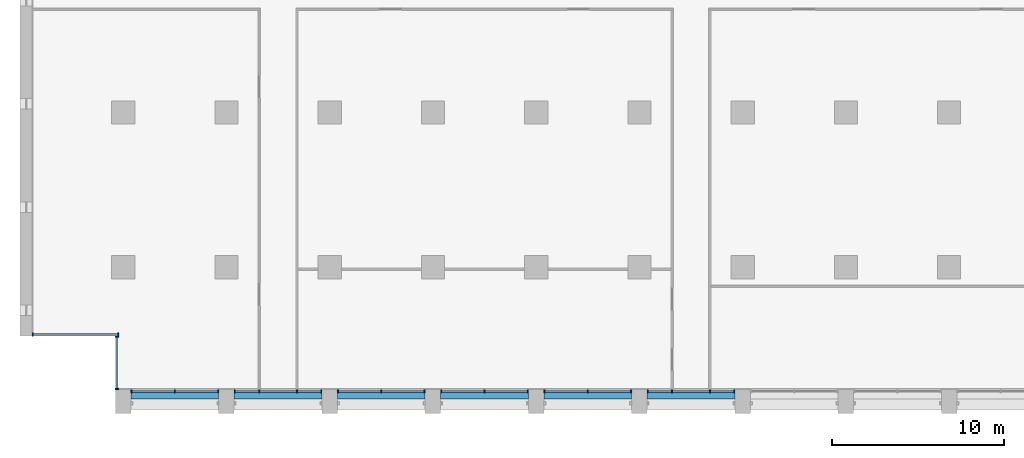
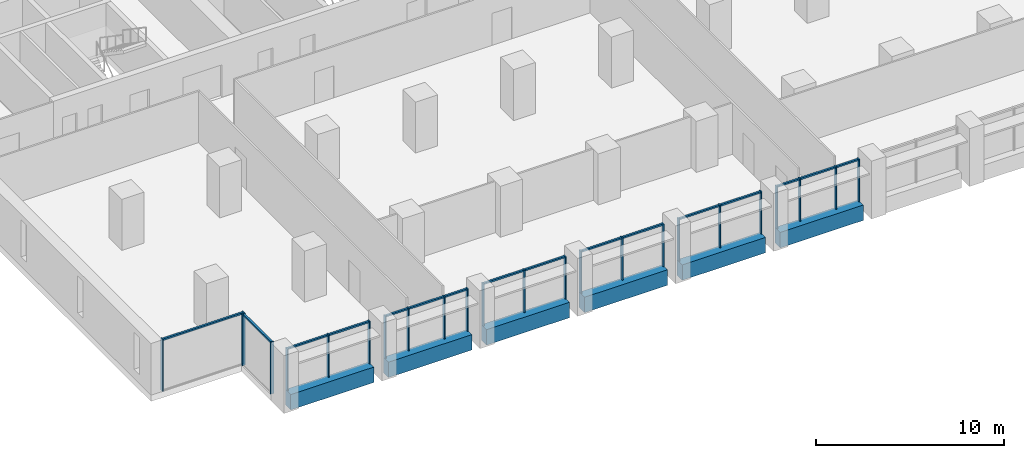
# One storey, part 2 of 15: 40 members, 6 beams, 8 elements without a shape of their own.
"""IFC4 building model written with IfcOpenShell, lengths in metres."""

from ifc_helpers import new_model, si_unit, direction, frame, origin, origin_2d, place, context, subcontext, project, spatial, rectangle, extrude, material, material_profile, profile_set, type_object, element, aggregate, save


model = new_model("IFC4")

# Units and contexts
model_context = context("Model", 3, precision=1e-05, world=origin(), true_north=direction((0.0, 1.0)))
body_context = subcontext(model_context, "Body", "Model", "MODEL_VIEW")
ifc_project = project(units=[si_unit("LENGTHUNIT", "METRE"), si_unit("AREAUNIT", "SQUARE_METRE"), si_unit("VOLUMEUNIT", "CUBIC_METRE"), si_unit("PLANEANGLEUNIT", "RADIAN"), si_unit("MASSUNIT", "GRAM", prefix="KILO")], contexts=[model_context])

# Site, building, storey
site_placement = place(None, origin())
site = spatial("IfcSite", under=ifc_project, at=site_placement, CompositionType="ELEMENT")
building_placement = place(site_placement, origin())
building = spatial("IfcBuilding", under=site, at=building_placement, Name="Calvaro Tower", CompositionType="ELEMENT")
storey_placement = place(building_placement, frame((0.0, 0.0, 117.5)))
storey = spatial("IfcBuildingStorey", under=building, at=storey_placement, Name="L29", CompositionType="ELEMENT", Elevation=117.5)

# Curtain wall, members
ifc_material_1 = material(Name="Anodised aluminium", Category="aluminium")
curtain_wall_type = type_object("IfcCurtainWallType", Name="Office curtain wall, middle zone", PredefinedType="NOTDEFINED", material=ifc_material_1)
curtain_wall_1_placement = place(storey_placement, origin())
curtain_wall_1 = element("IfcCurtainWall", 1, at=curtain_wall_1_placement, inside=storey, type_object=curtain_wall_type, Name="CW2 south curtain wall", PredefinedType="NOTDEFINED")
ifc_material_2 = material(Name="Anodised aluminium", Category="aluminium")
ifc_material_profile_1 = material_profile(ifc_material_2, rectangle(XDim=0.199951171875, YDim=0.070068359375, at=origin_2d()), Name="Mullion S2 70 x 200")
ifc_profile_set_1 = profile_set([ifc_material_profile_1], Name="Anodised aluminium")
member_type_1 = type_object("IfcMemberType", Name="Mullion S2 70 x 200", PredefinedType="MULLION", material=ifc_profile_set_1)
member_1_placement = place(storey_placement, frame((6.485107421875, 2.800048828125, 0.0), z_axis=(0.0, 0.0, 1.0), x_axis=(0.0, 1.0, 0.0)))
member_1 = element("IfcMember", 2, at=member_1_placement, type_object=member_type_1, Name="CW2 mullion 1", PredefinedType="MULLION", context=body_context, shape_type="SweptSolid", body=[
    extrude(rectangle(XDim=0.199951171875, YDim=0.070068359375, at=origin_2d()), origin(), (0.0, 0.0, 1.0), 2.75),
])
member_2_placement = place(storey_placement, frame((9.0, 2.800048828125, 0.0), z_axis=(0.0, 0.0, 1.0), x_axis=(0.0, 1.0, 0.0)))
member_2 = element("IfcMember", 3, at=member_2_placement, type_object=member_type_1, Name="CW2 mullion 2", PredefinedType="MULLION", context=body_context, shape_type="SweptSolid", body=[
    extrude(rectangle(XDim=0.199951171875, YDim=0.070068359375, at=origin_2d()), origin(), (0.0, 0.0, 1.0), 2.75),
])
member_3_placement = place(storey_placement, frame((11.514892578125, 2.800048828125, 0.0), z_axis=(0.0, 0.0, 1.0), x_axis=(0.0, 1.0, 0.0)))
member_3 = element("IfcMember", 4, at=member_3_placement, type_object=member_type_1, Name="CW2 mullion 3", PredefinedType="MULLION", context=body_context, shape_type="SweptSolid", body=[
    extrude(rectangle(XDim=0.199951171875, YDim=0.070068359375, at=origin_2d()), origin(), (0.0, 0.0, 1.0), 2.75),
])

curtain_wall_2_placement = place(storey_placement, origin())
curtain_wall_2 = element("IfcCurtainWall", 5, at=curtain_wall_2_placement, inside=storey, type_object=curtain_wall_type, Name="CW2 south curtain wall", PredefinedType="NOTDEFINED")
member_4_placement = place(storey_placement, frame((12.485107421875, 2.800048828125, 0.0), z_axis=(0.0, 0.0, 1.0), x_axis=(0.0, 1.0, 0.0)))
member_4 = element("IfcMember", 6, at=member_4_placement, type_object=member_type_1, Name="CW2 mullion 1", PredefinedType="MULLION", context=body_context, shape_type="SweptSolid", body=[
    extrude(rectangle(XDim=0.199951171875, YDim=0.070068359375, at=origin_2d()), origin(), (0.0, 0.0, 1.0), 2.75),
])
member_5_placement = place(storey_placement, frame((13.89990234375, 2.800048828125, 0.0), z_axis=(0.0, 0.0, 1.0), x_axis=(0.0, 1.0, 0.0)))
member_5 = element("IfcMember", 7, at=member_5_placement, type_object=member_type_1, Name="CW2 mullion 2", PredefinedType="MULLION", context=body_context, shape_type="SweptSolid", body=[
    extrude(rectangle(XDim=0.199951171875, YDim=0.070068359375, at=origin_2d()), origin(), (0.0, 0.0, 1.0), 2.75),
])
member_6_placement = place(storey_placement, frame((16.10009765625, 2.800048828125, 0.0), z_axis=(0.0, 0.0, 1.0), x_axis=(0.0, 1.0, 0.0)))
member_6 = element("IfcMember", 8, at=member_6_placement, type_object=member_type_1, Name="CW2 mullion 3", PredefinedType="MULLION", context=body_context, shape_type="SweptSolid", body=[
    extrude(rectangle(XDim=0.199951171875, YDim=0.070068359375, at=origin_2d()), origin(), (0.0, 0.0, 1.0), 2.75),
])
member_7_placement = place(storey_placement, frame((17.514892578125, 2.800048828125, 0.0), z_axis=(0.0, 0.0, 1.0), x_axis=(0.0, 1.0, 0.0)))
member_7 = element("IfcMember", 9, at=member_7_placement, type_object=member_type_1, Name="CW2 mullion 4", PredefinedType="MULLION", context=body_context, shape_type="SweptSolid", body=[
    extrude(rectangle(XDim=0.199951171875, YDim=0.070068359375, at=origin_2d()), origin(), (0.0, 0.0, 1.0), 2.75),
])

curtain_wall_3_placement = place(storey_placement, origin())
curtain_wall_3 = element("IfcCurtainWall", 10, at=curtain_wall_3_placement, inside=storey, type_object=curtain_wall_type, Name="CW2 south curtain wall", PredefinedType="NOTDEFINED")
member_8_placement = place(storey_placement, frame((18.485107421875, 2.800048828125, 0.0), z_axis=(0.0, 0.0, 1.0), x_axis=(0.0, 1.0, 0.0)))
member_8 = element("IfcMember", 11, at=member_8_placement, type_object=member_type_1, Name="CW2 mullion 1", PredefinedType="MULLION", context=body_context, shape_type="SweptSolid", body=[
    extrude(rectangle(XDim=0.199951171875, YDim=0.070068359375, at=origin_2d()), origin(), (0.0, 0.0, 1.0), 2.75),
])
member_9_placement = place(storey_placement, frame((21.0, 2.800048828125, 0.0), z_axis=(0.0, 0.0, 1.0), x_axis=(0.0, 1.0, 0.0)))
member_9 = element("IfcMember", 12, at=member_9_placement, type_object=member_type_1, Name="CW2 mullion 2", PredefinedType="MULLION", context=body_context, shape_type="SweptSolid", body=[
    extrude(rectangle(XDim=0.199951171875, YDim=0.070068359375, at=origin_2d()), origin(), (0.0, 0.0, 1.0), 2.75),
])
member_10_placement = place(storey_placement, frame((23.514892578125, 2.800048828125, 0.0), z_axis=(0.0, 0.0, 1.0), x_axis=(0.0, 1.0, 0.0)))
member_10 = element("IfcMember", 13, at=member_10_placement, type_object=member_type_1, Name="CW2 mullion 3", PredefinedType="MULLION", context=body_context, shape_type="SweptSolid", body=[
    extrude(rectangle(XDim=0.199951171875, YDim=0.070068359375, at=origin_2d()), origin(), (0.0, 0.0, 1.0), 2.75),
])

curtain_wall_4_placement = place(storey_placement, origin())
curtain_wall_4 = element("IfcCurtainWall", 14, at=curtain_wall_4_placement, inside=storey, type_object=curtain_wall_type, Name="CW2 south curtain wall", PredefinedType="NOTDEFINED")
member_11_placement = place(storey_placement, frame((24.485107421875, 2.800048828125, 0.0), z_axis=(0.0, 0.0, 1.0), x_axis=(0.0, 1.0, 0.0)))
member_11 = element("IfcMember", 15, at=member_11_placement, type_object=member_type_1, Name="CW2 mullion 1", PredefinedType="MULLION", context=body_context, shape_type="SweptSolid", body=[
    extrude(rectangle(XDim=0.199951171875, YDim=0.070068359375, at=origin_2d()), origin(), (0.0, 0.0, 1.0), 2.75),
])
member_12_placement = place(storey_placement, frame((27.0, 2.800048828125, 0.0), z_axis=(0.0, 0.0, 1.0), x_axis=(0.0, 1.0, 0.0)))
member_12 = element("IfcMember", 16, at=member_12_placement, type_object=member_type_1, Name="CW2 mullion 2", PredefinedType="MULLION", context=body_context, shape_type="SweptSolid", body=[
    extrude(rectangle(XDim=0.199951171875, YDim=0.070068359375, at=origin_2d()), origin(), (0.0, 0.0, 1.0), 2.75),
])
member_13_placement = place(storey_placement, frame((29.514892578125, 2.800048828125, 0.0), z_axis=(0.0, 0.0, 1.0), x_axis=(0.0, 1.0, 0.0)))
member_13 = element("IfcMember", 17, at=member_13_placement, type_object=member_type_1, Name="CW2 mullion 3", PredefinedType="MULLION", context=body_context, shape_type="SweptSolid", body=[
    extrude(rectangle(XDim=0.199951171875, YDim=0.070068359375, at=origin_2d()), origin(), (0.0, 0.0, 1.0), 2.75),
])

curtain_wall_5_placement = place(storey_placement, origin())
curtain_wall_5 = element("IfcCurtainWall", 18, at=curtain_wall_5_placement, inside=storey, type_object=curtain_wall_type, Name="CW2 south curtain wall", PredefinedType="NOTDEFINED")
member_14_placement = place(storey_placement, frame((30.485107421875, 2.800048828125, 0.0), z_axis=(0.0, 0.0, 1.0), x_axis=(0.0, 1.0, 0.0)))
member_14 = element("IfcMember", 19, at=member_14_placement, type_object=member_type_1, Name="CW2 mullion 1", PredefinedType="MULLION", context=body_context, shape_type="SweptSolid", body=[
    extrude(rectangle(XDim=0.199951171875, YDim=0.070068359375, at=origin_2d()), origin(), (0.0, 0.0, 1.0), 2.75),
])
member_15_placement = place(storey_placement, frame((33.0, 2.800048828125, 0.0), z_axis=(0.0, 0.0, 1.0), x_axis=(0.0, 1.0, 0.0)))
member_15 = element("IfcMember", 20, at=member_15_placement, type_object=member_type_1, Name="CW2 mullion 2", PredefinedType="MULLION", context=body_context, shape_type="SweptSolid", body=[
    extrude(rectangle(XDim=0.199951171875, YDim=0.070068359375, at=origin_2d()), origin(), (0.0, 0.0, 1.0), 2.75),
])
member_16_placement = place(storey_placement, frame((35.514892578125, 2.800048828125, 0.0), z_axis=(0.0, 0.0, 1.0), x_axis=(0.0, 1.0, 0.0)))
member_16 = element("IfcMember", 21, at=member_16_placement, type_object=member_type_1, Name="CW2 mullion 3", PredefinedType="MULLION", context=body_context, shape_type="SweptSolid", body=[
    extrude(rectangle(XDim=0.199951171875, YDim=0.070068359375, at=origin_2d()), origin(), (0.0, 0.0, 1.0), 2.75),
])

curtain_wall_6_placement = place(storey_placement, origin())
curtain_wall_6 = element("IfcCurtainWall", 22, at=curtain_wall_6_placement, inside=storey, type_object=curtain_wall_type, Name="CW2 south curtain wall", PredefinedType="NOTDEFINED")
member_17_placement = place(storey_placement, frame((36.485107421875, 2.800048828125, 0.0), z_axis=(0.0, 0.0, 1.0), x_axis=(0.0, 1.0, 0.0)))
member_17 = element("IfcMember", 23, at=member_17_placement, type_object=member_type_1, Name="CW2 mullion 1", PredefinedType="MULLION", context=body_context, shape_type="SweptSolid", body=[
    extrude(rectangle(XDim=0.199951171875, YDim=0.070068359375, at=origin_2d()), origin(), (0.0, 0.0, 1.0), 2.75),
])
member_18_placement = place(storey_placement, frame((37.89990234375, 2.800048828125, 0.0), z_axis=(0.0, 0.0, 1.0), x_axis=(0.0, 1.0, 0.0)))
member_18 = element("IfcMember", 24, at=member_18_placement, type_object=member_type_1, Name="CW2 mullion 2", PredefinedType="MULLION", context=body_context, shape_type="SweptSolid", body=[
    extrude(rectangle(XDim=0.199951171875, YDim=0.070068359375, at=origin_2d()), origin(), (0.0, 0.0, 1.0), 2.75),
])
member_19_placement = place(storey_placement, frame((40.10009765625, 2.800048828125, 0.0), z_axis=(0.0, 0.0, 1.0), x_axis=(0.0, 1.0, 0.0)))
member_19 = element("IfcMember", 25, at=member_19_placement, type_object=member_type_1, Name="CW2 mullion 3", PredefinedType="MULLION", context=body_context, shape_type="SweptSolid", body=[
    extrude(rectangle(XDim=0.199951171875, YDim=0.070068359375, at=origin_2d()), origin(), (0.0, 0.0, 1.0), 2.75),
])
member_20_placement = place(storey_placement, frame((41.514892578125, 2.800048828125, 0.0), z_axis=(0.0, 0.0, 1.0), x_axis=(0.0, 1.0, 0.0)))
member_20 = element("IfcMember", 26, at=member_20_placement, type_object=member_type_1, Name="CW2 mullion 4", PredefinedType="MULLION", context=body_context, shape_type="SweptSolid", body=[
    extrude(rectangle(XDim=0.199951171875, YDim=0.070068359375, at=origin_2d()), origin(), (0.0, 0.0, 1.0), 2.75),
])

curtain_wall_7_placement = place(storey_placement, origin())
curtain_wall_7 = element("IfcCurtainWall", 27, at=curtain_wall_7_placement, inside=storey, type_object=curtain_wall_type, Name="CW2 corner curtain wall", PredefinedType="NOTDEFINED")
member_21_placement = place(storey_placement, frame((5.64990234375, 2.93505859375, 0.0), z_axis=(0.0, 0.0, 1.0), x_axis=(-1.0, 0.0, 0.0)))
member_21 = element("IfcMember", 28, at=member_21_placement, type_object=member_type_1, Name="CW2 mullion 1", PredefinedType="MULLION", context=body_context, shape_type="SweptSolid", body=[
    extrude(rectangle(XDim=0.199951171875, YDim=0.070068359375, at=origin_2d()), origin(), (0.0, 0.0, 1.0), 3.35009765625),
])
member_22_placement = place(storey_placement, frame((5.64990234375, 5.965087890625, 0.0), z_axis=(0.0, 0.0, 1.0), x_axis=(-1.0, 0.0, 0.0)))
member_22 = element("IfcMember", 29, at=member_22_placement, type_object=member_type_1, Name="CW2 mullion 2", PredefinedType="MULLION", context=body_context, shape_type="SweptSolid", body=[
    extrude(rectangle(XDim=0.199951171875, YDim=0.070068359375, at=origin_2d()), origin(), (0.0, 0.0, 1.0), 3.35009765625),
])

curtain_wall_8_placement = place(storey_placement, origin())
curtain_wall_8 = element("IfcCurtainWall", 30, at=curtain_wall_8_placement, inside=storey, type_object=curtain_wall_type, Name="CW2 corner curtain wall", PredefinedType="NOTDEFINED")
member_23_placement = place(storey_placement, frame((0.735107421875, 6.10009765625, 0.0), z_axis=(0.0, 0.0, 1.0), x_axis=(0.0, 1.0, 0.0)))
member_23 = element("IfcMember", 31, at=member_23_placement, type_object=member_type_1, Name="CW2 mullion 1", PredefinedType="MULLION", context=body_context, shape_type="SweptSolid", body=[
    extrude(rectangle(XDim=0.199951171875, YDim=0.070068359375, at=origin_2d()), origin(), (0.0, 0.0, 1.0), 3.35009765625),
])
member_24_placement = place(storey_placement, frame((5.715087890625, 6.10009765625, 0.0), z_axis=(0.0, 0.0, 1.0), x_axis=(0.0, 1.0, 0.0)))
member_24 = element("IfcMember", 32, at=member_24_placement, type_object=member_type_1, Name="CW2 mullion 2", PredefinedType="MULLION", context=body_context, shape_type="SweptSolid", body=[
    extrude(rectangle(XDim=0.199951171875, YDim=0.070068359375, at=origin_2d()), origin(), (0.0, 0.0, 1.0), 3.35009765625),
])

# Beams
ifc_material_3 = material(Name="Concrete C50/60 precast", Category="concrete")
ifc_material_profile_2 = material_profile(ifc_material_3, rectangle(XDim=0.550048828125, YDim=1.0, at=origin_2d()), Name="RC 550x1000")
ifc_profile_set_2 = profile_set([ifc_material_profile_2], Name="Concrete C50/60 precast")
beam_type = type_object("IfcBeamType", Name="Spandrel beam 550x1000 C50/60", PredefinedType="SPANDREL", material=ifc_profile_set_2)
for number, where, z_axis, x_axis, name in (
    (33, (6.449951171875, 2.625, -0.5), (1.0, 0.0, 0.0), (0.0, 1.0, 0.0), "Spandrel beam"),
    (34, (12.449951171875, 2.625, -0.5), (1.0, 0.0, 0.0), (0.0, 1.0, 0.0), "Spandrel beam"),
    (35, (18.449951171875, 2.625, -0.5), (1.0, 0.0, 0.0), (0.0, 1.0, 0.0), "Spandrel beam"),
    (36, (24.449951171875, 2.625, -0.5), (1.0, 0.0, 0.0), (0.0, 1.0, 0.0), "Spandrel beam"),
    (37, (30.449951171875, 2.625, -0.5), (1.0, 0.0, 0.0), (0.0, 1.0, 0.0), "Spandrel beam"),
    (38, (36.449951171875, 2.625, -0.5), (1.0, 0.0, 0.0), (0.0, 1.0, 0.0), "Spandrel beam"),
):
    element("IfcBeam", number, at=place(storey_placement, frame(where, z_axis=z_axis, x_axis=x_axis)), inside=storey, type_object=beam_type, Name=name, PredefinedType="SPANDREL", context=body_context, shape_type="SweptSolid", body=[
        extrude(rectangle(XDim=0.550048828125, YDim=1.0, at=origin_2d()), origin(), (0.0, 0.0, 1.0), 5.10009765625),
    ])

# Member
ifc_material_4 = material(Name="Anodised aluminium", Category="aluminium")
ifc_material_profile_3 = material_profile(ifc_material_4, rectangle(XDim=0.1201171875, YDim=0.10009765625, at=origin_2d()), Name="Transom S2 100 x 120")
ifc_profile_set_3 = profile_set([ifc_material_profile_3], Name="Anodised aluminium")
member_type_2 = type_object("IfcMemberType", Name="Transom S2 100 x 120", PredefinedType="USERDEFINED", material=ifc_profile_set_3)
member_25_placement = place(storey_placement, frame((6.52001953125, 2.800048828125, 2.699951171875), z_axis=(1.0, 0.0, 0.0), x_axis=(0.0, 1.0, 0.0)))
member_25 = element("IfcMember", 39, at=member_25_placement, type_object=member_type_2, Name="CW2 transom 1.1", ObjectType="TRANSOM", PredefinedType="USERDEFINED", context=body_context, shape_type="SweptSolid", body=[
    extrude(rectangle(XDim=0.1201171875, YDim=0.10009765625, at=origin_2d()), origin(), (0.0, 0.0, 1.0), 2.445068359375),
])

member_26_placement = place(storey_placement, frame((9.034912109375, 2.800048828125, 2.699951171875), z_axis=(1.0, 0.0, 0.0), x_axis=(0.0, 1.0, 0.0)))
member_26 = element("IfcMember", 40, at=member_26_placement, type_object=member_type_2, Name="CW2 transom 2.1", ObjectType="TRANSOM", PredefinedType="USERDEFINED", context=body_context, shape_type="SweptSolid", body=[
    extrude(rectangle(XDim=0.1201171875, YDim=0.10009765625, at=origin_2d()), origin(), (0.0, 0.0, 1.0), 2.445068359375),
])

aggregate(curtain_wall_1, [member_1, member_2, member_3, member_25, member_26])

member_27_placement = place(storey_placement, frame((12.52001953125, 2.800048828125, 2.699951171875), z_axis=(1.0, 0.0, 0.0), x_axis=(0.0, 1.0, 0.0)))
member_27 = element("IfcMember", 41, at=member_27_placement, type_object=member_type_2, Name="CW2 transom 1.1", ObjectType="TRANSOM", PredefinedType="USERDEFINED", context=body_context, shape_type="SweptSolid", body=[
    extrude(rectangle(XDim=0.1201171875, YDim=0.10009765625, at=origin_2d()), origin(), (0.0, 0.0, 1.0), 1.344970703125),
])

member_28_placement = place(storey_placement, frame((13.93505859375, 2.800048828125, 2.699951171875), z_axis=(1.0, 0.0, 0.0), x_axis=(0.0, 1.0, 0.0)))
member_28 = element("IfcMember", 42, at=member_28_placement, type_object=member_type_2, Name="CW2 transom 2.1", ObjectType="TRANSOM", PredefinedType="USERDEFINED", context=body_context, shape_type="SweptSolid", body=[
    extrude(rectangle(XDim=0.1201171875, YDim=0.10009765625, at=origin_2d()), origin(), (0.0, 0.0, 1.0), 2.1298828125),
])

member_29_placement = place(storey_placement, frame((16.135009765625, 2.800048828125, 2.699951171875), z_axis=(1.0, 0.0, 0.0), x_axis=(0.0, 1.0, 0.0)))
member_29 = element("IfcMember", 43, at=member_29_placement, type_object=member_type_2, Name="CW2 transom 3.1", ObjectType="TRANSOM", PredefinedType="USERDEFINED", context=body_context, shape_type="SweptSolid", body=[
    extrude(rectangle(XDim=0.1201171875, YDim=0.10009765625, at=origin_2d()), origin(), (0.0, 0.0, 1.0), 1.344970703125),
])

aggregate(curtain_wall_2, [member_4, member_5, member_6, member_7, member_27, member_28, member_29])

member_30_placement = place(storey_placement, frame((18.52001953125, 2.800048828125, 2.699951171875), z_axis=(1.0, 0.0, 0.0), x_axis=(0.0, 1.0, 0.0)))
member_30 = element("IfcMember", 44, at=member_30_placement, type_object=member_type_2, Name="CW2 transom 1.1", ObjectType="TRANSOM", PredefinedType="USERDEFINED", context=body_context, shape_type="SweptSolid", body=[
    extrude(rectangle(XDim=0.1201171875, YDim=0.10009765625, at=origin_2d()), origin(), (0.0, 0.0, 1.0), 2.445068359375),
])

member_31_placement = place(storey_placement, frame((21.034912109375, 2.800048828125, 2.699951171875), z_axis=(1.0, 0.0, 0.0), x_axis=(0.0, 1.0, 0.0)))
member_31 = element("IfcMember", 45, at=member_31_placement, type_object=member_type_2, Name="CW2 transom 2.1", ObjectType="TRANSOM", PredefinedType="USERDEFINED", context=body_context, shape_type="SweptSolid", body=[
    extrude(rectangle(XDim=0.1201171875, YDim=0.10009765625, at=origin_2d()), origin(), (0.0, 0.0, 1.0), 2.445068359375),
])

aggregate(curtain_wall_3, [member_8, member_9, member_10, member_30, member_31])

member_32_placement = place(storey_placement, frame((24.52001953125, 2.800048828125, 2.699951171875), z_axis=(1.0, 0.0, 0.0), x_axis=(0.0, 1.0, 0.0)))
member_32 = element("IfcMember", 46, at=member_32_placement, type_object=member_type_2, Name="CW2 transom 1.1", ObjectType="TRANSOM", PredefinedType="USERDEFINED", context=body_context, shape_type="SweptSolid", body=[
    extrude(rectangle(XDim=0.1201171875, YDim=0.10009765625, at=origin_2d()), origin(), (0.0, 0.0, 1.0), 2.445068359375),
])

member_33_placement = place(storey_placement, frame((27.034912109375, 2.800048828125, 2.699951171875), z_axis=(1.0, 0.0, 0.0), x_axis=(0.0, 1.0, 0.0)))
member_33 = element("IfcMember", 47, at=member_33_placement, type_object=member_type_2, Name="CW2 transom 2.1", ObjectType="TRANSOM", PredefinedType="USERDEFINED", context=body_context, shape_type="SweptSolid", body=[
    extrude(rectangle(XDim=0.1201171875, YDim=0.10009765625, at=origin_2d()), origin(), (0.0, 0.0, 1.0), 2.445068359375),
])

aggregate(curtain_wall_4, [member_11, member_12, member_13, member_32, member_33])

member_34_placement = place(storey_placement, frame((30.52001953125, 2.800048828125, 2.699951171875), z_axis=(1.0, 0.0, 0.0), x_axis=(0.0, 1.0, 0.0)))
member_34 = element("IfcMember", 48, at=member_34_placement, type_object=member_type_2, Name="CW2 transom 1.1", ObjectType="TRANSOM", PredefinedType="USERDEFINED", context=body_context, shape_type="SweptSolid", body=[
    extrude(rectangle(XDim=0.1201171875, YDim=0.10009765625, at=origin_2d()), origin(), (0.0, 0.0, 1.0), 2.445068359375),
])

member_35_placement = place(storey_placement, frame((33.034912109375, 2.800048828125, 2.699951171875), z_axis=(1.0, 0.0, 0.0), x_axis=(0.0, 1.0, 0.0)))
member_35 = element("IfcMember", 49, at=member_35_placement, type_object=member_type_2, Name="CW2 transom 2.1", ObjectType="TRANSOM", PredefinedType="USERDEFINED", context=body_context, shape_type="SweptSolid", body=[
    extrude(rectangle(XDim=0.1201171875, YDim=0.10009765625, at=origin_2d()), origin(), (0.0, 0.0, 1.0), 2.445068359375),
])

aggregate(curtain_wall_5, [member_14, member_15, member_16, member_34, member_35])

member_36_placement = place(storey_placement, frame((36.52001953125, 2.800048828125, 2.699951171875), z_axis=(1.0, 0.0, 0.0), x_axis=(0.0, 1.0, 0.0)))
member_36 = element("IfcMember", 50, at=member_36_placement, type_object=member_type_2, Name="CW2 transom 1.1", ObjectType="TRANSOM", PredefinedType="USERDEFINED", context=body_context, shape_type="SweptSolid", body=[
    extrude(rectangle(XDim=0.1201171875, YDim=0.10009765625, at=origin_2d()), origin(), (0.0, 0.0, 1.0), 1.344970703125),
])

member_37_placement = place(storey_placement, frame((37.93505859375, 2.800048828125, 2.699951171875), z_axis=(1.0, 0.0, 0.0), x_axis=(0.0, 1.0, 0.0)))
member_37 = element("IfcMember", 51, at=member_37_placement, type_object=member_type_2, Name="CW2 transom 2.1", ObjectType="TRANSOM", PredefinedType="USERDEFINED", context=body_context, shape_type="SweptSolid", body=[
    extrude(rectangle(XDim=0.1201171875, YDim=0.10009765625, at=origin_2d()), origin(), (0.0, 0.0, 1.0), 2.1298828125),
])

member_38_placement = place(storey_placement, frame((40.135009765625, 2.800048828125, 2.699951171875), z_axis=(1.0, 0.0, 0.0), x_axis=(0.0, 1.0, 0.0)))
member_38 = element("IfcMember", 52, at=member_38_placement, type_object=member_type_2, Name="CW2 transom 3.1", ObjectType="TRANSOM", PredefinedType="USERDEFINED", context=body_context, shape_type="SweptSolid", body=[
    extrude(rectangle(XDim=0.1201171875, YDim=0.10009765625, at=origin_2d()), origin(), (0.0, 0.0, 1.0), 1.344970703125),
])

aggregate(curtain_wall_6, [member_17, member_18, member_19, member_20, member_36, member_37, member_38])

member_39_placement = place(storey_placement, frame((5.64990234375, 2.969970703125, 3.300048828125), z_axis=(0.0, 1.0, 0.0), x_axis=(-1.0, 0.0, 0.0)))
member_39 = element("IfcMember", 53, at=member_39_placement, type_object=member_type_2, Name="CW2 transom 1.1", ObjectType="TRANSOM", PredefinedType="USERDEFINED", context=body_context, shape_type="SweptSolid", body=[
    extrude(rectangle(XDim=0.1201171875, YDim=0.10009765625, at=origin_2d()), origin(), (0.0, 0.0, 1.0), 2.9599609375),
])

aggregate(curtain_wall_7, [member_21, member_22, member_39])

member_40_placement = place(storey_placement, frame((0.77001953125, 6.10009765625, 3.300048828125), z_axis=(1.0, 0.0, 0.0), x_axis=(0.0, 1.0, 0.0)))
member_40 = element("IfcMember", 54, at=member_40_placement, type_object=member_type_2, Name="CW2 transom 1.1", ObjectType="TRANSOM", PredefinedType="USERDEFINED", context=body_context, shape_type="SweptSolid", body=[
    extrude(rectangle(XDim=0.1201171875, YDim=0.10009765625, at=origin_2d()), origin(), (0.0, 0.0, 1.0), 4.909912109375),
])

aggregate(curtain_wall_8, [member_23, member_24, member_40])

save(model, "model.ifc")
